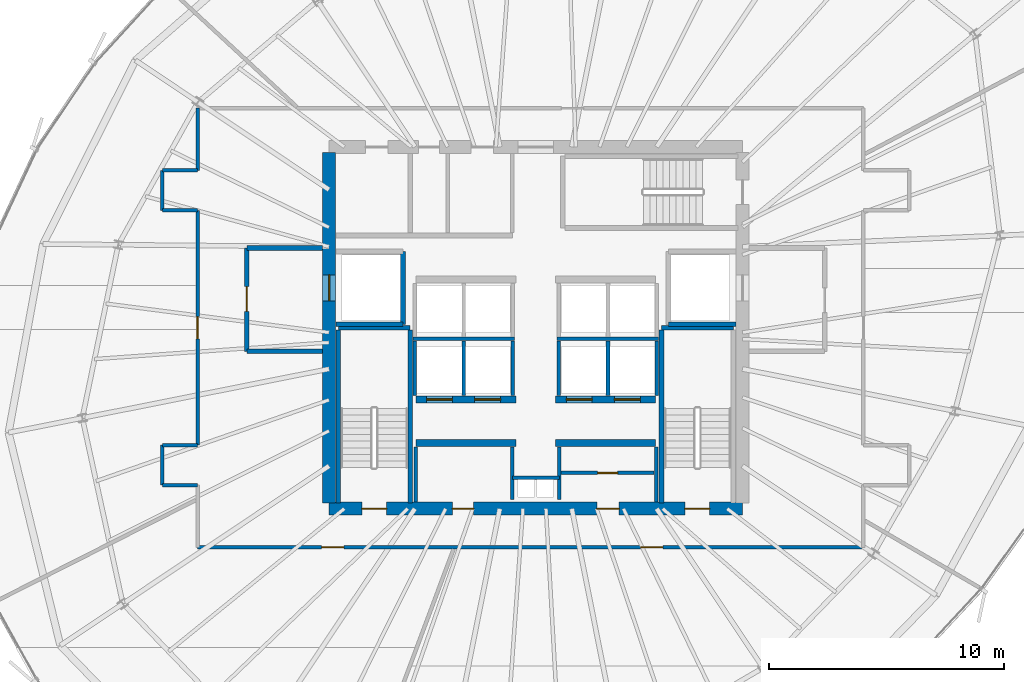
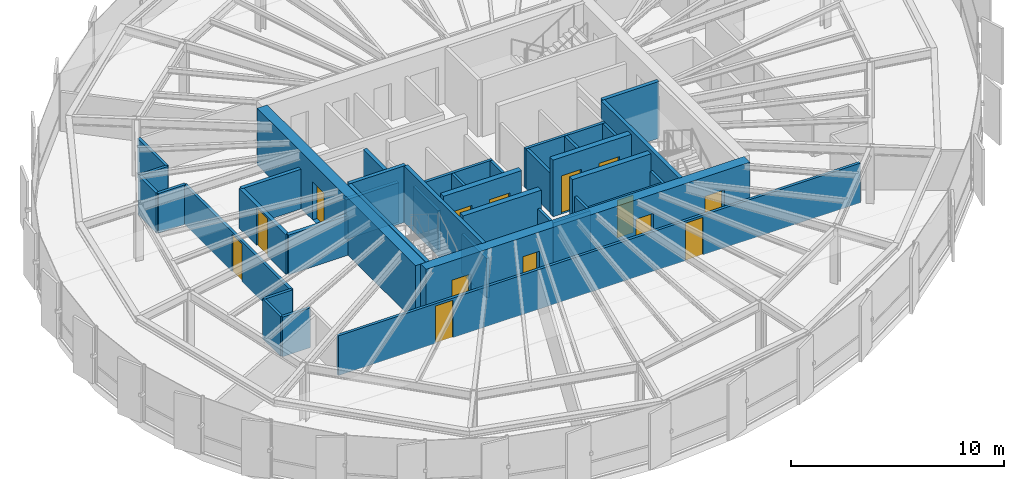
# One storey, part 30 of 36: 40 walls, 14 doors, 14 openings.
"""IFC4 building model written with IfcOpenShell, lengths in metres."""

import ifcopenshell
import ifcopenshell.guid

model = None  # the IFC model being written
_history = None  # IfcOwnerHistory: only IFC2X3 demands one
_inside = {}  # id of a spatial element -> (the spatial element, [elements in it])
_under = {}  # id of a project, library or spatial element -> (it, [spatial elements below it])
_declared = {}  # id of a project -> (the project, [libraries it declares])
_typed = {}  # id of a type object -> (the type object, [elements of that type])
_made_of = {}  # id of a material, layer set ... -> (it, [elements and type objects made of it])


def new_model(schema):
    """Start an empty IFC model of exactly this schema.

    Asked for "IFC4X3", IfcOpenShell would pick the latest addendum, in which some entities
    have other attributes; the version numbers below select the first issue.
    IFC2X3 requires an IfcOwnerHistory on every rooted entity: one is made here for all.
    """
    global model, _history
    if schema == "IFC4X3":
        model = ifcopenshell.file(schema_version=(4, 3, 0, 0))
    else:
        model = ifcopenshell.file(schema=schema)
    _inside.clear()
    _under.clear()
    _declared.clear()
    _typed.clear()
    _made_of.clear()
    _history = None
    if model.schema == "IFC2X3":
        org = make("IfcOrganization", Name="unknown")
        user = make(
            "IfcPersonAndOrganization",
            ThePerson=make("IfcPerson", FamilyName="unknown"),
            TheOrganization=org,
        )
        app = make(
            "IfcApplication",
            ApplicationDeveloper=org,
            Version="unknown",
            ApplicationFullName="unknown",
            ApplicationIdentifier="unknown",
        )
        _history = make(
            "IfcOwnerHistory",
            OwningUser=user,
            OwningApplication=app,
            ChangeAction="ADDED",
            CreationDate=0,
        )
    return model


def make(cls, **values):
    """One entity of the class cls with the attributes given. An attribute that is None is left unset."""
    return model.create_entity(
        cls, **{name: value for name, value in values.items() if value is not None}
    )


def rooted(cls, **values):
    """An entity with a GlobalId (a new one), such as an element, a storey or a relation."""
    return make(cls, GlobalId=ifcopenshell.guid.new(), OwnerHistory=_history, **values)


def si_unit(unit_type, name, prefix=None):
    """IfcSIUnit, for example si_unit("LENGTHUNIT", "METRE", prefix="MILLI")."""
    return make("IfcSIUnit", UnitType=unit_type, Prefix=prefix, Name=name)


def assignment(units):
    """IfcUnitAssignment: the units of a project."""
    return None if units is None else make("IfcUnitAssignment", Units=units)


def point(xyz):
    """IfcCartesianPoint."""
    return None if xyz is None else make("IfcCartesianPoint", Coordinates=xyz)


def direction(xyz):
    """IfcDirection."""
    return None if xyz is None else make("IfcDirection", DirectionRatios=xyz)


def frame(location, z_axis=None, x_axis=None):
    """IfcAxis2Placement3D, a coordinate frame: its origin and axes. An axis left out is left unset."""
    return make(
        "IfcAxis2Placement3D",
        Location=point(location),
        Axis=direction(z_axis),
        RefDirection=direction(x_axis),
    )


def frame_2d(location, x_axis=None):
    """IfcAxis2Placement2D, a coordinate frame in the plane: its origin and x axis."""
    return make(
        "IfcAxis2Placement2D", Location=point(location), RefDirection=direction(x_axis)
    )


def origin():
    """The frame at (0, 0, 0) with its axes left unset."""
    return frame((0.0, 0.0, 0.0))


def place(relative_to, where):
    """IfcLocalPlacement: puts the frame where relative to a parent placement (None: the world)."""
    return make(
        "IfcLocalPlacement", PlacementRelTo=relative_to, RelativePlacement=where
    )


def context(
    kind, dimensions, precision=None, world=None, true_north=None, identifier=None
):
    """IfcGeometricRepresentationContext, for example the 3D "Model" context."""
    return make(
        "IfcGeometricRepresentationContext",
        ContextIdentifier=identifier,
        ContextType=kind,
        CoordinateSpaceDimension=dimensions,
        Precision=precision,
        WorldCoordinateSystem=world,
        TrueNorth=true_north,
    )


def subcontext(parent, identifier, kind, view, scale=None):
    """IfcGeometricRepresentationSubContext, for example "Body" below "Model"."""
    return make(
        "IfcGeometricRepresentationSubContext",
        ContextIdentifier=identifier,
        ContextType=kind,
        ParentContext=parent,
        TargetScale=scale,
        TargetView=view,
    )


def project(units=None, contexts=None):
    """IfcProject with its units and contexts."""
    return rooted(
        "IfcProject",
        Name="project",
        RepresentationContexts=contexts,
        UnitsInContext=assignment(units),
    )


def spatial(cls, under=None, at=None, **own):
    """A site, building, storey or space (cls), placed at a placement, below another one or the project."""
    s = rooted(cls, ObjectPlacement=at, **own)
    if under is not None:
        _under.setdefault(under.id(), (under, []))[1].append(s)
    return s


def profile(cls, at=None, kind="AREA", **sizes):
    """A parametric profile (cls). Its sizes go by their IFC names, for example OverallWidth=200.0."""
    return make(cls, ProfileType=kind, Position=at, **sizes)


def rectangle(**sizes):
    """IfcRectangleProfileDef."""
    return profile("IfcRectangleProfileDef", **sizes)


def extrude(swept, where, along, depth):
    """IfcExtrudedAreaSolid: the profile swept, set in the frame where, extruded along a direction by depth."""
    return make(
        "IfcExtrudedAreaSolid",
        SweptArea=swept,
        Position=where,
        ExtrudedDirection=direction(along),
        Depth=depth,
    )


def shape(context_of_items, identifier, shape_type, items):
    """IfcShapeRepresentation: the items that make up one representation, for example the "Body"."""
    return make(
        "IfcShapeRepresentation",
        ContextOfItems=context_of_items,
        RepresentationIdentifier=identifier,
        RepresentationType=shape_type,
        Items=items,
    )


def source(mapping_origin, context_of_items, identifier, shape_type, items):
    """IfcRepresentationMap: a shape defined once, which mapped items show again and again."""
    return make(
        "IfcRepresentationMap",
        MappingOrigin=mapping_origin,
        MappedRepresentation=shape(context_of_items, identifier, shape_type, items),
    )


def transform(
    local_origin,
    x_axis=None,
    y_axis=None,
    z_axis=None,
    scale=None,
    scale2=None,
    scale3=None,
    uniform=True,
):
    """IfcCartesianTransformationOperator3D, or its non-uniform kind. x_axis, y_axis, z_axis: its Axis1, 2, 3."""
    if uniform:
        return make(
            "IfcCartesianTransformationOperator3D",
            Axis1=direction(x_axis),
            Axis2=direction(y_axis),
            LocalOrigin=point(local_origin),
            Scale=scale,
            Axis3=direction(z_axis),
        )
    return make(
        "IfcCartesianTransformationOperator3DnonUniform",
        Axis1=direction(x_axis),
        Axis2=direction(y_axis),
        LocalOrigin=point(local_origin),
        Scale=scale,
        Axis3=direction(z_axis),
        Scale2=scale2,
        Scale3=scale3,
    )


def mapped(mapping_source, mapping_target):
    """IfcMappedItem: shows the shape of a source again, moved by a transform."""
    return make(
        "IfcMappedItem", MappingSource=mapping_source, MappingTarget=mapping_target
    )


def material(Name=None, Category=None):
    """IfcMaterial."""
    return make("IfcMaterial", Name=Name, Category=Category)


def layer(
    of_material, thickness, ventilated=None, Name=None, Category=None, Priority=None
):
    """IfcMaterialLayer: one layer of a wall or slab, of a material (None: an air gap)."""
    return make(
        "IfcMaterialLayer",
        Material=of_material,
        LayerThickness=thickness,
        IsVentilated=ventilated,
        Name=Name,
        Category=Category,
        Priority=Priority,
    )


def layer_set(layers, Name=None):
    """IfcMaterialLayerSet."""
    return make("IfcMaterialLayerSet", MaterialLayers=layers, LayerSetName=Name)


def made_of(thing, what):
    """Note that an element or type object is made of a material, layer set ...; save() writes the relation."""
    if what is not None:
        _made_of.setdefault(what.id(), (what, []))[1].append(thing)
    return thing


def type_object(cls, material=None, **own):
    """A type object (cls), such as IfcWallType, which elements share."""
    return made_of(rooted(cls, **own), material)


def element(
    cls,
    number,
    at=None,
    inside=None,
    cuts=None,
    type_object=None,
    material=None,
    context=None,
    identifier="Body",
    shape_type=None,
    held_by="IfcProductDefinitionShape",
    body=None,
    shapes=None,
    **own,
):
    """One element of the class cls, such as IfcWall. Its Tag is "e" and its number.

    at: its placement. inside: the storey or other place that contains it. cuts: it is an
    opening in that element (IfcRelVoidsElement). A single representation is given by context,
    identifier, shape_type and body (its items); several are given by shapes. held_by: the class
    of the entity that holds the representations. save() writes the other relations.
    """
    e = rooted(cls, Tag="e%d" % number, ObjectPlacement=at, **own)
    if body is not None:
        shapes = [shape(context, identifier, shape_type, body)]
    if shapes is not None:
        e.Representation = make(held_by, Representations=shapes)
    if inside is not None:
        _inside.setdefault(inside.id(), (inside, []))[1].append(e)
    if cuts is not None:
        rooted(
            "IfcRelVoidsElement", RelatingBuildingElement=cuts, RelatedOpeningElement=e
        )
    if type_object is not None:
        _typed.setdefault(type_object.id(), (type_object, []))[1].append(e)
    return made_of(e, material)


def fill(opening, filler):
    """IfcRelFillsElement: the door or window that sits in an opening."""
    return rooted(
        "IfcRelFillsElement",
        RelatingOpeningElement=opening,
        RelatedBuildingElement=filler,
    )


def aggregate(whole, parts):
    """IfcRelAggregates: a whole, such as a stair, and the parts it consists of."""
    return rooted("IfcRelAggregates", RelatingObject=whole, RelatedObjects=parts)


def save(model, path):
    """Write the relations noted so far, then the file.

    IfcRelAggregates (storeys below a building ...), IfcRelContainedInSpatialStructure (elements
    in a storey), IfcRelDefinesByType, IfcRelAssociatesMaterial and IfcRelDeclares: one each for
    every whole, place, type object, material and project.
    """
    for whole, parts in _under.values():
        aggregate(whole, parts)
    for where, things in _inside.values():
        rooted(
            "IfcRelContainedInSpatialStructure",
            RelatedElements=things,
            RelatingStructure=where,
        )
    for kind, things in _typed.values():
        rooted("IfcRelDefinesByType", RelatedObjects=things, RelatingType=kind)
    for what, things in _made_of.values():
        rooted("IfcRelAssociatesMaterial", RelatedObjects=things, RelatingMaterial=what)
    for by, libraries in _declared.values():
        rooted("IfcRelDeclares", RelatingContext=by, RelatedDefinitions=libraries)
    model.write(path)


model = new_model("IFC4")

# Units and contexts
model_context = context("Model", 3, precision=1e-05, world=origin(), true_north=direction((0.0, 1.0)))
body_context = subcontext(model_context, "Body", "Model", "MODEL_VIEW")
ifc_project = project(units=[si_unit("LENGTHUNIT", "METRE"), si_unit("AREAUNIT", "SQUARE_METRE"), si_unit("VOLUMEUNIT", "CUBIC_METRE"), si_unit("PLANEANGLEUNIT", "RADIAN"), si_unit("MASSUNIT", "GRAM", prefix="KILO"), si_unit("THERMODYNAMICTEMPERATUREUNIT", "KELVIN")], contexts=[model_context])

# Site, building, storey
site_placement = place(None, origin())
site = spatial("IfcSite", under=ifc_project, at=site_placement, CompositionType="ELEMENT")
building_placement = place(site_placement, origin())
building = spatial("IfcBuilding", under=site, at=building_placement, Name="Kethvar Cultural Tower", CompositionType="ELEMENT")
storey_placement = place(building_placement, frame((0.0, 0.0, 176.39990234375)))
storey = spatial("IfcBuildingStorey", under=building, at=storey_placement, Name="L45", CompositionType="ELEMENT", Elevation=176.39990234375)

# Wall, openings, doors
ifc_material_1 = material(Name="Concrete C60/75", Category="concrete")
ifc_layer_1 = layer(ifc_material_1, 0.550048828125, Name="Concrete C60/75", Category="concrete")
ifc_layer_set_1 = layer_set([ifc_layer_1], Name="Concrete C60/75 (550 mm)")
wall_type_1 = type_object("IfcWallType", Name="WL-CORE-550", PredefinedType="SHEAR", material=ifc_layer_set_1)
wall_1_placement = place(storey_placement, frame((38.0, 20.10009765625, 0.0), z_axis=(0.0, 0.0, 1.0), x_axis=(1.0, 0.0, 0.0)))
wall_1 = element("IfcWall", 1, at=wall_1_placement, inside=storey, type_object=wall_type_1, Name="L45 Core Shear Wall S", PredefinedType="SHEAR", context=body_context, shape_type="SweptSolid", body=[
    extrude(rectangle(XDim=17.60009765625, YDim=0.550048828125, at=frame_2d((8.800048828125, 0.0))), origin(), (0.0, 0.0, 1.0), 3.260009765625),
])
opening_1_placement = place(wall_1_placement, frame((1.39990234375, 0.0, 0.0)))
opening_1 = element("IfcOpeningElement", 2, at=opening_1_placement, cuts=wall_1, Name="Opening D-L45-S1", PredefinedType="OPENING", context=body_context, shape_type="SweptSolid", body=[
    extrude(rectangle(XDim=1.050048828125, YDim=2.14990234375, at=frame_2d((0.52490234375, 1.074951171875))), frame((0.0, 0.284912109375, 0.0), z_axis=(0.0, -1.0, 0.0), x_axis=(1.0, 0.0, 0.0)), (0.0, 0.0, 1.0), 0.570068359375),
])
opening_2_placement = place(wall_1_placement, frame((15.14990234375, 0.0, 0.0)))
opening_2 = element("IfcOpeningElement", 3, at=opening_2_placement, cuts=wall_1, Name="Opening D-L45-ST2", PredefinedType="OPENING", context=body_context, shape_type="SweptSolid", body=[
    extrude(rectangle(XDim=1.050048828125, YDim=2.14990234375, at=frame_2d((0.52490234375, 1.074951171875))), frame((0.0, 0.284912109375, 0.0), z_axis=(0.0, -1.0, 0.0), x_axis=(1.0, 0.0, 0.0)), (0.0, 0.0, 1.0), 0.570068359375),
])
opening_3_placement = place(wall_1_placement, frame((5.25, 0.0, 0.0)))
opening_3 = element("IfcOpeningElement", 4, at=opening_3_placement, cuts=wall_1, Name="Opening D-L45-V1", PredefinedType="OPENING", context=body_context, shape_type="SweptSolid", body=[
    extrude(rectangle(XDim=0.89990234375, YDim=2.14990234375, at=frame_2d((0.449951171875, 1.074951171875))), frame((0.0, 0.284912109375, 0.0), z_axis=(0.0, -1.0, 0.0), x_axis=(1.0, 0.0, 0.0)), (0.0, 0.0, 1.0), 0.570068359375),
])
opening_4_placement = place(wall_1_placement, frame((11.39990234375, 0.0, 0.0)))
opening_4 = element("IfcOpeningElement", 5, at=opening_4_placement, cuts=wall_1, Name="Opening D-L45-V2", PredefinedType="OPENING", context=body_context, shape_type="SweptSolid", body=[
    extrude(rectangle(XDim=0.949951171875, YDim=2.14990234375, at=frame_2d((0.47509765625, 1.074951171875))), frame((0.0, 0.284912109375, 0.0), z_axis=(0.0, -1.0, 0.0), x_axis=(1.0, 0.0, 0.0)), (0.0, 0.0, 1.0), 0.570068359375),
])
ifc_material_2 = material(Name="Steel S355J2", Category="steel")
door_type_1 = type_object("IfcDoorType", Name="DR-FD60-1050", OperationType="NOTDEFINED", PredefinedType="DOOR", material=ifc_material_2)
shared_shape_1 = source(origin(), body_context, "Body", "SweptSolid", [
    extrude(rectangle(XDim=1.050048828125, YDim=2.14990234375, at=frame_2d((0.52490234375, 1.074951171875))), frame((0.0, 0.02490234375, 0.0), z_axis=(0.0, -1.0, 0.0), x_axis=(1.0, 0.0, 0.0)), (0.0, 0.0, 1.0), 0.050048828125),
])
door_1_placement = place(opening_1_placement, origin())
door_1 = element("IfcDoor", 6, at=door_1_placement, inside=storey, type_object=door_type_1, Name="L45 Exit Stair 1 Door", OperationType="SINGLE_SWING_LEFT", OverallHeight=2.14990234375, OverallWidth=1.050048828125, PredefinedType="DOOR", context=body_context, shape_type="MappedRepresentation", body=[
    mapped(shared_shape_1, transform((0.0, 0.0, 0.0), scale=1.0)),
])
fill(opening_1, door_1)
door_2_placement = place(opening_2_placement, origin())
door_2 = element("IfcDoor", 7, at=door_2_placement, inside=storey, type_object=door_type_1, Name="L45 Exit Stair 2 Door", OperationType="SINGLE_SWING_RIGHT", OverallHeight=2.14990234375, OverallWidth=1.050048828125, PredefinedType="DOOR", context=body_context, shape_type="MappedRepresentation", body=[
    mapped(shared_shape_1, transform((0.0, 0.0, 0.0), scale=1.0)),
])
fill(opening_2, door_2)
ifc_material_3 = material(Name="Architectural Oak Timber", Category="wood")
door_type_2 = type_object("IfcDoorType", Name="DR-FD30-950", OperationType="NOTDEFINED", PredefinedType="DOOR", material=ifc_material_3)
shared_shape_2 = source(origin(), body_context, "Body", "SweptSolid", [
    extrude(rectangle(XDim=0.949951171875, YDim=2.14990234375, at=frame_2d((0.47509765625, 1.074951171875))), frame((0.0, 0.02490234375, 0.0), z_axis=(0.0, -1.0, 0.0), x_axis=(1.0, 0.0, 0.0)), (0.0, 0.0, 1.0), 0.050048828125),
])
door_3_placement = place(opening_4_placement, origin())
door_3 = element("IfcDoor", 8, at=door_3_placement, inside=storey, type_object=door_type_2, Name="L45 Bindery Supply Door", OperationType="SINGLE_SWING_RIGHT", OverallHeight=2.14990234375, OverallWidth=0.949951171875, PredefinedType="DOOR", context=body_context, shape_type="MappedRepresentation", body=[
    mapped(shared_shape_2, transform((0.0, 0.0, 0.0), scale=1.0)),
])
fill(opening_4, door_3)
door_type_3 = type_object("IfcDoorType", Name="DR-FD30-900", OperationType="NOTDEFINED", PredefinedType="DOOR", material=ifc_material_3)
shared_shape_3 = source(origin(), body_context, "Body", "SweptSolid", [
    extrude(rectangle(XDim=0.89990234375, YDim=2.14990234375, at=frame_2d((0.449951171875, 1.074951171875))), frame((0.0, 0.02490234375, 0.0), z_axis=(0.0, -1.0, 0.0), x_axis=(1.0, 0.0, 0.0)), (0.0, 0.0, 1.0), 0.050048828125),
])
door_4_placement = place(opening_3_placement, origin())
door_4 = element("IfcDoor", 9, at=door_4_placement, inside=storey, type_object=door_type_3, Name="L45 Folio Vault Door", OperationType="SINGLE_SWING_LEFT", OverallHeight=2.14990234375, OverallWidth=0.89990234375, PredefinedType="DOOR", context=body_context, shape_type="MappedRepresentation", body=[
    mapped(shared_shape_3, transform((0.0, 0.0, 0.0), scale=1.0)),
])
fill(opening_3, door_4)

# Wall, opening, door
wall_2_placement = place(storey_placement, frame((38.0, 35.260009765625, 0.0), z_axis=(0.0, 0.0, 1.0), x_axis=(0.0, -1.0, 0.0)))
wall_2 = element("IfcWall", 10, at=wall_2_placement, inside=storey, type_object=wall_type_1, Name="L45 Core Shear Wall W", PredefinedType="SHEAR", context=body_context, shape_type="SweptSolid", body=[
    extrude(rectangle(XDim=14.919921875, YDim=0.550048828125, at=frame_2d((7.4599609375, 0.0))), origin(), (0.0, 0.0, 1.0), 3.260009765625),
])
opening_5_placement = place(wall_2_placement, frame((5.2099609375, 0.0, 0.0)))
opening_5 = element("IfcOpeningElement", 11, at=opening_5_placement, cuts=wall_2, Name="Opening LD-1", PredefinedType="OPENING", context=body_context, shape_type="SweptSolid", body=[
    extrude(rectangle(XDim=1.10009765625, YDim=2.199951171875, at=frame_2d((0.550048828125, 1.10009765625))), frame((0.0, 0.284912109375, 0.0), z_axis=(0.0, -1.0, 0.0), x_axis=(1.0, 0.0, 0.0)), (0.0, 0.0, 1.0), 0.570068359375),
])
door_type_4 = type_object("IfcDoorType", Name="DR-LIFT-SLIDE-1100", OperationType="NOTDEFINED", PredefinedType="DOOR", material=ifc_material_2)
shared_shape_4 = source(origin(), body_context, "Body", "SweptSolid", [
    extrude(rectangle(XDim=1.10009765625, YDim=2.199951171875, at=frame_2d((0.550048828125, 1.10009765625))), frame((0.0, 0.02490234375, 0.0), z_axis=(0.0, -1.0, 0.0), x_axis=(1.0, 0.0, 0.0)), (0.0, 0.0, 1.0), 0.050048828125),
])
door_5_placement = place(opening_5_placement, origin())
door_5 = element("IfcDoor", 12, at=door_5_placement, inside=storey, type_object=door_type_4, Name="L45 Firefighting Lift Landing Door FFL-01", OperationType="SLIDING_TO_LEFT", OverallHeight=2.199951171875, OverallWidth=1.10009765625, PredefinedType="DOOR", context=body_context, shape_type="MappedRepresentation", body=[
    mapped(shared_shape_4, transform((0.0, 0.0, 0.0), scale=1.0)),
])
fill(opening_5, door_5)

# Walls
ifc_material_4 = material(Name="Gypsum Fireboard Partition")
ifc_layer_2 = layer(ifc_material_4, 0.14990234375, Name="Gypsum Fireboard Partition")
ifc_layer_set_2 = layer_set([ifc_layer_2], Name="Gypsum Fireboard Partition (150 mm)")
wall_type_2 = type_object("IfcWallType", Name="WL-FIRE-150", PredefinedType="PARTITIONING", material=ifc_layer_set_2)
wall_3_placement = place(storey_placement, frame((45.800048828125, 21.419921875, 0.0), z_axis=(0.0, 0.0, 1.0), x_axis=(1.0, 0.0, 0.0)))
element("IfcWall", 13, at=wall_3_placement, inside=storey, type_object=wall_type_2, Name="L45 Core Riser Wall", PredefinedType="PARTITIONING", context=body_context, shape_type="SweptSolid", body=[
    extrude(rectangle(XDim=2.0, YDim=0.14990234375, at=frame_2d((1.0, 0.0))), origin(), (0.0, 0.0, 1.0), 2.280029296875),
])
for number, where, z_axis, x_axis, name in (
    (14, (45.800048828125, 20.47998046875, 0.0), (0.0, 0.0, 1.0), (0.0, 1.0, 0.0), "L45 Core Riser West Wall"),
    (15, (47.800048828125, 20.47998046875, 0.0), (0.0, 0.0, 1.0), (0.0, 1.0, 0.0), "L45 Core Riser East Wall"),
):
    element("IfcWall", number, at=place(storey_placement, frame(where, z_axis=z_axis, x_axis=x_axis)), inside=storey, type_object=wall_type_2, Name=name, PredefinedType="PARTITIONING", context=body_context, shape_type="SweptSolid", body=[
        extrude(rectangle(XDim=2.239990234375, YDim=0.14990234375, at=frame_2d((1.1201171875, 0.0))), origin(), (0.0, 0.0, 1.0), 2.280029296875),
    ])
for number, where, z_axis, x_axis, name in (
    (16, (41.679931640625, 20.385009765625, 0.0), (0.0, 0.0, 1.0), (0.0, 1.0, 0.0), "L45 Reclaimed West Outer Wall"),
    (17, (51.919921875, 20.385009765625, 0.0), (0.0, 0.0, 1.0), (0.0, 1.0, 0.0), "L45 Reclaimed East Outer Wall"),
):
    element("IfcWall", number, at=place(storey_placement, frame(where, z_axis=z_axis, x_axis=x_axis)), inside=storey, type_object=wall_type_2, Name=name, PredefinedType="PARTITIONING", context=body_context, shape_type="SweptSolid", body=[
        extrude(rectangle(XDim=2.344970703125, YDim=0.14990234375, at=frame_2d((1.17236328125, 0.0))), origin(), (0.0, 0.0, 1.0), 2.280029296875),
    ])

# Wall, opening, door
wall_4_placement = place(storey_placement, frame((47.8798828125, 21.6201171875, 0.0), z_axis=(0.0, 0.0, 1.0), x_axis=(1.0, 0.0, 0.0)))
wall_4 = element("IfcWall", 18, at=wall_4_placement, inside=storey, type_object=wall_type_2, Name="L45 Pantry Gallery Wall E", PredefinedType="PARTITIONING", context=body_context, shape_type="SweptSolid", body=[
    extrude(rectangle(XDim=3.960205078125, YDim=0.14990234375, at=frame_2d((1.97998046875, 0.0))), origin(), (0.0, 0.0, 1.0), 2.280029296875),
])
opening_6_placement = place(wall_4_placement, frame((1.550048828125, 0.0, 0.0)))
opening_6 = element("IfcOpeningElement", 19, at=opening_6_placement, cuts=wall_4, Name="Opening D-L45-V3", PredefinedType="OPENING", context=body_context, shape_type="SweptSolid", body=[
    extrude(rectangle(XDim=0.85009765625, YDim=2.14990234375, at=frame_2d((0.425048828125, 1.074951171875))), frame((0.0, 0.0849609375, 0.0), z_axis=(0.0, -1.0, 0.0), x_axis=(1.0, 0.0, 0.0)), (0.0, 0.0, 1.0), 0.169921875),
])
door_type_5 = type_object("IfcDoorType", Name="DR-FD30-850", OperationType="NOTDEFINED", PredefinedType="DOOR", material=ifc_material_2)
shared_shape_5 = source(origin(), body_context, "Body", "SweptSolid", [
    extrude(rectangle(XDim=0.85009765625, YDim=2.14990234375, at=frame_2d((0.425048828125, 1.074951171875))), frame((0.0, 0.02490234375, 0.0), z_axis=(0.0, -1.0, 0.0), x_axis=(1.0, 0.0, 0.0)), (0.0, 0.0, 1.0), 0.050048828125),
])
door_6_placement = place(opening_6_placement, origin())
door_6 = element("IfcDoor", 20, at=door_6_placement, inside=storey, type_object=door_type_5, Name="L45 Inner Pantry Gallery Door", OperationType="SINGLE_SWING_RIGHT", OverallHeight=2.14990234375, OverallWidth=0.85009765625, PredefinedType="DOOR", context=body_context, shape_type="MappedRepresentation", body=[
    mapped(shared_shape_5, transform((0.0, 0.0, 0.0), scale=1.0)),
])
fill(opening_6, door_6)

# Walls
wall_5_placement = place(storey_placement, frame((41.580078125, 27.324951171875, 0.0), z_axis=(0.0, 0.0, 1.0), x_axis=(1.0, 0.0, 0.0)))
element("IfcWall", 21, at=wall_5_placement, inside=storey, type_object=wall_type_2, Name="L45 Mid-High Lift Shaft Back Wall W", PredefinedType="PARTITIONING", context=body_context, shape_type="SweptSolid", body=[
    extrude(rectangle(XDim=4.31982421875, YDim=0.14990234375, at=frame_2d((2.159912109375, 0.0))), origin(), (0.0, 0.0, 1.0), 2.280029296875),
])
wall_6_placement = place(storey_placement, frame((47.699951171875, 27.324951171875, 0.0), z_axis=(0.0, 0.0, 1.0), x_axis=(1.0, 0.0, 0.0)))
element("IfcWall", 22, at=wall_6_placement, inside=storey, type_object=wall_type_2, Name="L45 Mid-High Lift Shaft Back Wall E", PredefinedType="PARTITIONING", context=body_context, shape_type="SweptSolid", body=[
    extrude(rectangle(XDim=4.320068359375, YDim=0.14990234375, at=frame_2d((2.16015625, 0.0))), origin(), (0.0, 0.0, 1.0), 2.280029296875),
])
for number, where, z_axis, x_axis, name in (
    (23, (41.64990234375, 24.919921875, 0.0), (0.0, 0.0, 1.0), (0.0, 1.0, 0.0), "L45 Mid-Rise Lift Shaft Outer Wall W"),
    (24, (43.72509765625, 24.919921875, 0.0), (0.0, 0.0, 1.0), (0.0, 1.0, 0.0), "L45 Mid-Rise Lift Shaft Divider W"),
    (25, (45.824951171875, 24.919921875, 0.0), (0.0, 0.0, 1.0), (0.0, 1.0, 0.0), "L45 Mid-Rise Lift Shaft Concourse Wall W"),
    (26, (47.77490234375, 24.919921875, 0.0), (0.0, 0.0, 1.0), (0.0, 1.0, 0.0), "L45 Mid-Rise Lift Shaft Concourse Wall E"),
    (27, (49.875, 24.919921875, 0.0), (0.0, 0.0, 1.0), (0.0, 1.0, 0.0), "L45 Mid-Rise Lift Shaft Divider E"),
    (28, (51.949951171875, 24.919921875, 0.0), (0.0, 0.0, 1.0), (0.0, 1.0, 0.0), "L45 Mid-Rise Lift Shaft Outer Wall E"),
):
    element("IfcWall", number, at=place(storey_placement, frame(where, z_axis=z_axis, x_axis=x_axis)), inside=storey, type_object=wall_type_2, Name=name, PredefinedType="PARTITIONING", context=body_context, shape_type="SweptSolid", body=[
        extrude(rectangle(XDim=2.320068359375, YDim=0.14990234375, at=frame_2d((1.16015625, 0.0))), origin(), (0.0, 0.0, 1.0), 2.280029296875),
    ])

# Wall, openings, doors
wall_7_placement = place(storey_placement, frame((32.39990234375, 18.449951171875, 0.0), z_axis=(0.0, 0.0, 1.0), x_axis=(1.0, 0.0, 0.0)))
wall_7 = element("IfcWall", 29, at=wall_7_placement, inside=storey, type_object=wall_type_2, Name="L45 Corridor Rated Wall S", PredefinedType="PARTITIONING", context=body_context, shape_type="SweptSolid", body=[
    extrude(rectangle(XDim=28.35009765625, YDim=0.14990234375, at=frame_2d((14.175048828125, 0.0))), origin(), (0.0, 0.0, 1.0), 2.280029296875),
])
opening_7_placement = place(wall_7_placement, frame((5.2783203125, 0.0, 0.0)))
opening_7 = element("IfcOpeningElement", 30, at=opening_7_placement, cuts=wall_7, Name="Opening D-L45-01", PredefinedType="OPENING", context=body_context, shape_type="SweptSolid", body=[
    extrude(rectangle(XDim=0.949951171875, YDim=2.14990234375, at=frame_2d((0.47509765625, 1.074951171875))), frame((0.0, 0.0849609375, 0.0), z_axis=(0.0, -1.0, 0.0), x_axis=(1.0, 0.0, 0.0)), (0.0, 0.0, 1.0), 0.169921875),
])
opening_8_placement = place(wall_7_placement, frame((18.8642578125, 0.0, 0.0)))
opening_8 = element("IfcOpeningElement", 31, at=opening_8_placement, cuts=wall_7, Name="Opening D-L45-02", PredefinedType="OPENING", context=body_context, shape_type="SweptSolid", body=[
    extrude(rectangle(XDim=0.949951171875, YDim=2.14990234375, at=frame_2d((0.47509765625, 1.074951171875))), frame((0.0, 0.0849609375, 0.0), z_axis=(0.0, -1.0, 0.0), x_axis=(1.0, 0.0, 0.0)), (0.0, 0.0, 1.0), 0.169921875),
])
door_7_placement = place(opening_7_placement, origin())
door_7 = element("IfcDoor", 32, at=door_7_placement, inside=storey, type_object=door_type_2, Name="L45 Sculpture Media Salon 01 Door", OperationType="SINGLE_SWING_RIGHT", OverallHeight=2.14990234375, OverallWidth=0.949951171875, PredefinedType="DOOR", context=body_context, shape_type="MappedRepresentation", body=[
    mapped(shared_shape_2, transform((0.0, 0.0, 0.0), scale=1.0)),
])
fill(opening_7, door_7)
door_8_placement = place(opening_8_placement, origin())
door_8 = element("IfcDoor", 33, at=door_8_placement, inside=storey, type_object=door_type_2, Name="L45 Design Review Boardroom 02 Door", OperationType="SINGLE_SWING_LEFT", OverallHeight=2.14990234375, OverallWidth=0.949951171875, PredefinedType="DOOR", context=body_context, shape_type="MappedRepresentation", body=[
    mapped(shared_shape_2, transform((0.0, 0.0, 0.0), scale=1.0)),
])
fill(opening_8, door_8)

# Walls
wall_8_placement = place(storey_placement, frame((32.39990234375, 37.14990234375, 0.0), z_axis=(0.0, 0.0, 1.0), x_axis=(0.0, -1.0, 0.0)))
element("IfcWall", 34, at=wall_8_placement, inside=storey, type_object=wall_type_2, Name="L45 Corridor Rated Wall W2", PredefinedType="PARTITIONING", context=body_context, shape_type="SweptSolid", body=[
    extrude(rectangle(XDim=2.64990234375, YDim=0.14990234375, at=frame_2d((1.324951171875, 0.0))), origin(), (0.0, 0.0, 1.0), 2.280029296875),
])
wall_9_placement = place(storey_placement, frame((32.39990234375, 34.5, 0.0), z_axis=(0.0, 0.0, 1.0), x_axis=(-1.0, 0.0, 0.0)))
element("IfcWall", 35, at=wall_9_placement, inside=storey, type_object=wall_type_2, Name="L45 Corridor Rated Wall WNT", PredefinedType="PARTITIONING", context=body_context, shape_type="SweptSolid", body=[
    extrude(rectangle(XDim=1.5, YDim=0.14990234375, at=frame_2d((0.75, 0.0))), origin(), (0.0, 0.0, 1.0), 2.280029296875),
])
wall_10_placement = place(storey_placement, frame((30.89990234375, 34.5, 0.0), z_axis=(0.0, 0.0, 1.0), x_axis=(0.0, -1.0, 0.0)))
element("IfcWall", 36, at=wall_10_placement, inside=storey, type_object=wall_type_2, Name="L45 Corridor Rated Wall WN", PredefinedType="PARTITIONING", context=body_context, shape_type="SweptSolid", body=[
    extrude(rectangle(XDim=1.699951171875, YDim=0.14990234375, at=frame_2d((0.85009765625, 0.0))), origin(), (0.0, 0.0, 1.0), 2.280029296875),
])
wall_11_placement = place(storey_placement, frame((30.89990234375, 32.800048828125, 0.0), z_axis=(0.0, 0.0, 1.0), x_axis=(1.0, 0.0, 0.0)))
element("IfcWall", 37, at=wall_11_placement, inside=storey, type_object=wall_type_2, Name="L45 Corridor Rated Wall WNB", PredefinedType="PARTITIONING", context=body_context, shape_type="SweptSolid", body=[
    extrude(rectangle(XDim=1.5, YDim=0.14990234375, at=frame_2d((0.75, 0.0))), origin(), (0.0, 0.0, 1.0), 2.280029296875),
])

# Wall, opening, door
wall_12_placement = place(storey_placement, frame((32.39990234375, 32.800048828125, 0.0), z_axis=(0.0, 0.0, 1.0), x_axis=(0.0, -1.0, 0.0)))
wall_12 = element("IfcWall", 38, at=wall_12_placement, inside=storey, type_object=wall_type_2, Name="L45 Corridor Rated Wall WM", PredefinedType="PARTITIONING", context=body_context, shape_type="SweptSolid", body=[
    extrude(rectangle(XDim=10.0, YDim=0.14990234375, at=frame_2d((5.0, 0.0))), origin(), (0.0, 0.0, 1.0), 2.280029296875),
])
opening_9_placement = place(wall_12_placement, frame((4.52490234375, 0.0, 0.0)))
opening_9 = element("IfcOpeningElement", 39, at=opening_9_placement, cuts=wall_12, Name="Opening D-L45-05", PredefinedType="OPENING", context=body_context, shape_type="SweptSolid", body=[
    extrude(rectangle(XDim=0.949951171875, YDim=2.14990234375, at=frame_2d((0.47509765625, 1.074951171875))), frame((0.0, 0.0849609375, 0.0), z_axis=(0.0, -1.0, 0.0), x_axis=(1.0, 0.0, 0.0)), (0.0, 0.0, 1.0), 0.169921875),
])
door_9_placement = place(opening_9_placement, origin())
door_9 = element("IfcDoor", 40, at=door_9_placement, inside=storey, type_object=door_type_2, Name="L45 Special Collections Storage 05 Door", OperationType="SINGLE_SWING_RIGHT", OverallHeight=2.14990234375, OverallWidth=0.949951171875, PredefinedType="DOOR", context=body_context, shape_type="MappedRepresentation", body=[
    mapped(shared_shape_2, transform((0.0, 0.0, 0.0), scale=1.0)),
])
fill(opening_9, door_9)

# Walls
wall_13_placement = place(storey_placement, frame((32.39990234375, 22.800048828125, 0.0), z_axis=(0.0, 0.0, 1.0), x_axis=(-1.0, 0.0, 0.0)))
element("IfcWall", 41, at=wall_13_placement, inside=storey, type_object=wall_type_2, Name="L45 Corridor Rated Wall WST", PredefinedType="PARTITIONING", context=body_context, shape_type="SweptSolid", body=[
    extrude(rectangle(XDim=1.5, YDim=0.14990234375, at=frame_2d((0.75, 0.0))), origin(), (0.0, 0.0, 1.0), 2.280029296875),
])
wall_14_placement = place(storey_placement, frame((30.89990234375, 22.800048828125, 0.0), z_axis=(0.0, 0.0, 1.0), x_axis=(0.0, -1.0, 0.0)))
element("IfcWall", 42, at=wall_14_placement, inside=storey, type_object=wall_type_2, Name="L45 Corridor Rated Wall WS", PredefinedType="PARTITIONING", context=body_context, shape_type="SweptSolid", body=[
    extrude(rectangle(XDim=1.699951171875, YDim=0.14990234375, at=frame_2d((0.85009765625, 0.0))), origin(), (0.0, 0.0, 1.0), 2.280029296875),
])
wall_15_placement = place(storey_placement, frame((30.89990234375, 21.10009765625, 0.0), z_axis=(0.0, 0.0, 1.0), x_axis=(1.0, 0.0, 0.0)))
element("IfcWall", 43, at=wall_15_placement, inside=storey, type_object=wall_type_2, Name="L45 Corridor Rated Wall WSB", PredefinedType="PARTITIONING", context=body_context, shape_type="SweptSolid", body=[
    extrude(rectangle(XDim=1.5, YDim=0.14990234375, at=frame_2d((0.75, 0.0))), origin(), (0.0, 0.0, 1.0), 2.280029296875),
])
ifc_material_5 = material(Name="Concrete C40/50", Category="concrete")
ifc_layer_3 = layer(ifc_material_5, 0.199951171875, Name="Concrete C40/50", Category="concrete")
ifc_layer_set_3 = layer_set([ifc_layer_3], Name="Concrete C40/50 (200 mm)")
wall_type_3 = type_object("IfcWallType", Name="WL-FIRE-200", PredefinedType="PARTITIONING", material=ifc_layer_set_3)
wall_16_placement = place(storey_placement, frame((41.14990234375, 27.949951171875, 0.0), z_axis=(0.0, 0.0, 1.0), x_axis=(0.0, 1.0, 0.0)))
element("IfcWall", 44, at=wall_16_placement, inside=storey, type_object=wall_type_3, Name="L45 FFL-01 Shaft Inner Wall", PredefinedType="PARTITIONING", context=body_context, shape_type="SweptSolid", body=[
    extrude(rectangle(XDim=3.10009765625, YDim=0.199951171875, at=frame_2d((1.550048828125, 0.0))), origin(), (0.0, 0.0, 1.0), 2.280029296875),
])
wall_17_placement = place(storey_placement, frame((38.284912109375, 27.949951171875, 0.0), z_axis=(0.0, 0.0, 1.0), x_axis=(1.0, 0.0, 0.0)))
element("IfcWall", 45, at=wall_17_placement, inside=storey, type_object=wall_type_3, Name="L45 FFL-01 Shaft South Wall", PredefinedType="PARTITIONING", context=body_context, shape_type="SweptSolid", body=[
    extrude(rectangle(XDim=2.864990234375, YDim=0.199951171875, at=frame_2d((1.4326171875, 0.0))), origin(), (0.0, 0.0, 1.0), 2.280029296875),
])

# Wall, opening, door
wall_18_placement = place(storey_placement, frame((34.5, 31.199951171875, 0.0), z_axis=(0.0, 0.0, 1.0), x_axis=(0.0, -1.0, 0.0)))
wall_18 = element("IfcWall", 46, at=wall_18_placement, inside=storey, type_object=wall_type_3, Name="L45 Firefighting Lobby 1 Wall", PredefinedType="PARTITIONING", context=body_context, shape_type="SweptSolid", body=[
    extrude(rectangle(XDim=4.39990234375, YDim=0.199951171875, at=frame_2d((2.199951171875, 0.0))), origin(), (0.0, 0.0, 1.0), 2.280029296875),
])
opening_10_placement = place(wall_18_placement, frame((1.64990234375, 0.0, 0.0)))
opening_10 = element("IfcOpeningElement", 47, at=opening_10_placement, cuts=wall_18, Name="Opening D-L45-F1", PredefinedType="OPENING", context=body_context, shape_type="SweptSolid", body=[
    extrude(rectangle(XDim=1.050048828125, YDim=2.14990234375, at=frame_2d((0.52490234375, 1.074951171875))), frame((0.0, 0.10986328125, 0.0), z_axis=(0.0, -1.0, 0.0), x_axis=(1.0, 0.0, 0.0)), (0.0, 0.0, 1.0), 0.219970703125),
])
door_10_placement = place(opening_10_placement, origin())
door_10 = element("IfcDoor", 48, at=door_10_placement, inside=storey, type_object=door_type_1, Name="L45 Firefighting Lobby 1 Fire Door", OperationType="SINGLE_SWING_LEFT", OverallHeight=2.14990234375, OverallWidth=1.050048828125, PredefinedType="DOOR", context=body_context, shape_type="MappedRepresentation", body=[
    mapped(shared_shape_1, transform((0.0, 0.0, 0.0), scale=1.0)),
])
fill(opening_10, door_10)

# Walls
for number, where, z_axis, x_axis, name in (
    (49, (34.5, 26.800048828125, 0.0), (0.0, 0.0, 1.0), (1.0, 0.0, 0.0), "L45 FF Lobby 1 South Wall"),
    (50, (34.5, 31.199951171875, 0.0), (0.0, 0.0, 1.0), (1.0, 0.0, 0.0), "L45 FF Lobby 1 North Wall"),
):
    element("IfcWall", number, at=place(storey_placement, frame(where, z_axis=z_axis, x_axis=x_axis)), inside=storey, type_object=wall_type_3, Name=name, PredefinedType="PARTITIONING", context=body_context, shape_type="SweptSolid", body=[
        extrude(rectangle(XDim=3.215087890625, YDim=0.199951171875, at=frame_2d((1.607421875, 0.0))), origin(), (0.0, 0.0, 1.0), 2.280029296875),
    ])
wall_19_placement = place(storey_placement, frame((52.449951171875, 27.949951171875, 0.0), z_axis=(0.0, 0.0, 1.0), x_axis=(1.0, 0.0, 0.0)))
element("IfcWall", 51, at=wall_19_placement, inside=storey, type_object=wall_type_3, Name="L45 FFL-02 Shaft South Wall", PredefinedType="PARTITIONING", context=body_context, shape_type="SweptSolid", body=[
    extrude(rectangle(XDim=2.864990234375, YDim=0.199951171875, at=frame_2d((1.4326171875, 0.0))), origin(), (0.0, 0.0, 1.0), 2.280029296875),
])
ifc_material_6 = material(Name="Concrete C50/60", Category="concrete")
ifc_layer_4 = layer(ifc_material_6, 0.300048828125, Name="Concrete C50/60", Category="concrete")
ifc_layer_set_4 = layer_set([ifc_layer_4], Name="Concrete C50/60 (300 mm)")
wall_type_4 = type_object("IfcWallType", Name="WL-SHAFT-300", PredefinedType="SHEAR", material=ifc_layer_set_4)
for number, where, z_axis, x_axis, name in (
    (52, (41.699951171875, 22.89990234375, 0.0), (0.0, 0.0, 1.0), (1.0, 0.0, 0.0), "L45 Core Lift Spine Wall MID1W"),
    (53, (47.64990234375, 22.89990234375, 0.0), (0.0, 0.0, 1.0), (1.0, 0.0, 0.0), "L45 Core Lift Spine Wall MID1E"),
):
    element("IfcWall", number, at=place(storey_placement, frame(where, z_axis=z_axis, x_axis=x_axis)), inside=storey, type_object=wall_type_4, Name=name, PredefinedType="SHEAR", context=body_context, shape_type="SweptSolid", body=[
        extrude(rectangle(XDim=4.25, YDim=0.300048828125, at=frame_2d((2.125, 0.0))), origin(), (0.0, 0.0, 1.0), 3.260009765625),
    ])

# Wall, openings, doors
wall_20_placement = place(storey_placement, frame((41.699951171875, 24.75, 0.0), z_axis=(0.0, 0.0, 1.0), x_axis=(1.0, 0.0, 0.0)))
wall_20 = element("IfcWall", 54, at=wall_20_placement, inside=storey, type_object=wall_type_4, Name="L45 Core Lift Spine Wall MID2W", PredefinedType="SHEAR", context=body_context, shape_type="SweptSolid", body=[
    extrude(rectangle(XDim=4.25, YDim=0.300048828125, at=frame_2d((2.125, 0.0))), origin(), (0.0, 0.0, 1.0), 3.260009765625),
])
opening_11_placement = place(wall_20_placement, frame((0.449951171875, 0.0, 0.0)))
opening_11 = element("IfcOpeningElement", 55, at=opening_11_placement, cuts=wall_20, Name="Opening LD-M1", PredefinedType="OPENING", context=body_context, shape_type="SweptSolid", body=[
    extrude(rectangle(XDim=1.10009765625, YDim=2.199951171875, at=frame_2d((0.550048828125, 1.10009765625))), frame((0.0, 0.159912109375, 0.0), z_axis=(0.0, -1.0, 0.0), x_axis=(1.0, 0.0, 0.0)), (0.0, 0.0, 1.0), 0.320068359375),
])
opening_12_placement = place(wall_20_placement, frame((2.5, 0.0, 0.0)))
opening_12 = element("IfcOpeningElement", 56, at=opening_12_placement, cuts=wall_20, Name="Opening LD-M2", PredefinedType="OPENING", context=body_context, shape_type="SweptSolid", body=[
    extrude(rectangle(XDim=1.10009765625, YDim=2.199951171875, at=frame_2d((0.550048828125, 1.10009765625))), frame((0.0, 0.159912109375, 0.0), z_axis=(0.0, -1.0, 0.0), x_axis=(1.0, 0.0, 0.0)), (0.0, 0.0, 1.0), 0.320068359375),
])
door_11_placement = place(opening_11_placement, origin())
door_11 = element("IfcDoor", 57, at=door_11_placement, inside=storey, type_object=door_type_4, Name="L45 Mid-Rise Lift Landing Door M1", OperationType="SLIDING_TO_RIGHT", OverallHeight=2.199951171875, OverallWidth=1.10009765625, PredefinedType="DOOR", context=body_context, shape_type="MappedRepresentation", body=[
    mapped(shared_shape_4, transform((0.0, 0.0, 0.0), scale=1.0)),
])
fill(opening_11, door_11)
door_12_placement = place(opening_12_placement, origin())
door_12 = element("IfcDoor", 58, at=door_12_placement, inside=storey, type_object=door_type_4, Name="L45 Mid-Rise Lift Landing Door M2", OperationType="SLIDING_TO_RIGHT", OverallHeight=2.199951171875, OverallWidth=1.10009765625, PredefinedType="DOOR", context=body_context, shape_type="MappedRepresentation", body=[
    mapped(shared_shape_4, transform((0.0, 0.0, 0.0), scale=1.0)),
])
fill(opening_12, door_12)

wall_21_placement = place(storey_placement, frame((47.64990234375, 24.75, 0.0), z_axis=(0.0, 0.0, 1.0), x_axis=(1.0, 0.0, 0.0)))
wall_21 = element("IfcWall", 59, at=wall_21_placement, inside=storey, type_object=wall_type_4, Name="L45 Core Lift Spine Wall MID2E", PredefinedType="SHEAR", context=body_context, shape_type="SweptSolid", body=[
    extrude(rectangle(XDim=4.25, YDim=0.300048828125, at=frame_2d((2.125, 0.0))), origin(), (0.0, 0.0, 1.0), 3.260009765625),
])
opening_13_placement = place(wall_21_placement, frame((0.449951171875, 0.0, 0.0)))
opening_13 = element("IfcOpeningElement", 60, at=opening_13_placement, cuts=wall_21, Name="Opening LD-M3", PredefinedType="OPENING", context=body_context, shape_type="SweptSolid", body=[
    extrude(rectangle(XDim=1.10009765625, YDim=2.199951171875, at=frame_2d((0.550048828125, 1.10009765625))), frame((0.0, 0.159912109375, 0.0), z_axis=(0.0, -1.0, 0.0), x_axis=(1.0, 0.0, 0.0)), (0.0, 0.0, 1.0), 0.320068359375),
])
opening_14_placement = place(wall_21_placement, frame((2.5, 0.0, 0.0)))
opening_14 = element("IfcOpeningElement", 61, at=opening_14_placement, cuts=wall_21, Name="Opening LD-M4", PredefinedType="OPENING", context=body_context, shape_type="SweptSolid", body=[
    extrude(rectangle(XDim=1.10009765625, YDim=2.199951171875, at=frame_2d((0.550048828125, 1.10009765625))), frame((0.0, 0.159912109375, 0.0), z_axis=(0.0, -1.0, 0.0), x_axis=(1.0, 0.0, 0.0)), (0.0, 0.0, 1.0), 0.320068359375),
])
door_13_placement = place(opening_13_placement, origin())
door_13 = element("IfcDoor", 62, at=door_13_placement, inside=storey, type_object=door_type_4, Name="L45 Mid-Rise Lift Landing Door M3", OperationType="SLIDING_TO_RIGHT", OverallHeight=2.199951171875, OverallWidth=1.10009765625, PredefinedType="DOOR", context=body_context, shape_type="MappedRepresentation", body=[
    mapped(shared_shape_4, transform((0.0, 0.0, 0.0), scale=1.0)),
])
fill(opening_13, door_13)
door_14_placement = place(opening_14_placement, origin())
door_14 = element("IfcDoor", 63, at=door_14_placement, inside=storey, type_object=door_type_4, Name="L45 Mid-Rise Lift Landing Door M4", OperationType="SLIDING_TO_RIGHT", OverallHeight=2.199951171875, OverallWidth=1.10009765625, PredefinedType="DOOR", context=body_context, shape_type="MappedRepresentation", body=[
    mapped(shared_shape_4, transform((0.0, 0.0, 0.0), scale=1.0)),
])
fill(opening_14, door_14)

# Walls
ifc_layer_5 = layer(ifc_material_6, 0.199951171875, Name="Concrete C50/60", Category="concrete")
ifc_layer_set_5 = layer_set([ifc_layer_5], Name="Concrete C50/60 (200 mm)")
wall_type_5 = type_object("IfcWallType", Name="WL-STSHAFT-200", PredefinedType="SHEAR", material=ifc_layer_set_5)
wall_22_placement = place(storey_placement, frame((38.389892578125, 27.800048828125, 0.0), z_axis=(0.0, 0.0, 1.0), x_axis=(1.0, 0.0, 0.0)))
element("IfcWall", 64, at=wall_22_placement, inside=storey, type_object=wall_type_5, Name="L45 ST-01 Stair Shaft Wall FAR", PredefinedType="SHEAR", context=body_context, shape_type="SweptSolid", body=[
    extrude(rectangle(XDim=3.06005859375, YDim=0.199951171875, at=frame_2d((1.530029296875, 0.0))), origin(), (0.0, 0.0, 1.0), 3.260009765625),
])
for number, where, z_axis, x_axis, name in (
    (65, (41.449951171875, 27.699951171875, 0.0), (0.0, 0.0, 1.0), (0.0, -1.0, 0.0), "L45 ST-01 Stair Shaft Wall LEFT"),
    (66, (38.389892578125, 20.35009765625, 0.0), (0.0, 0.0, 1.0), (0.0, 1.0, 0.0), "L45 ST-01 Stair Shaft Wall RIGHT"),
):
    element("IfcWall", number, at=place(storey_placement, frame(where, z_axis=z_axis, x_axis=x_axis)), inside=storey, type_object=wall_type_5, Name=name, PredefinedType="SHEAR", context=body_context, shape_type="SweptSolid", body=[
        extrude(rectangle(XDim=7.349853515625, YDim=0.199951171875, at=frame_2d((3.6748046875, 0.0))), origin(), (0.0, 0.0, 1.0), 3.260009765625),
    ])
wall_23_placement = place(storey_placement, frame((52.14990234375, 27.800048828125, 0.0), z_axis=(0.0, 0.0, 1.0), x_axis=(1.0, 0.0, 0.0)))
element("IfcWall", 67, at=wall_23_placement, inside=storey, type_object=wall_type_5, Name="L45 ST-02 Stair Shaft Wall FAR", PredefinedType="SHEAR", context=body_context, shape_type="SweptSolid", body=[
    extrude(rectangle(XDim=3.06005859375, YDim=0.199951171875, at=frame_2d((1.530029296875, 0.0))), origin(), (0.0, 0.0, 1.0), 3.260009765625),
])
wall_24_placement = place(storey_placement, frame((52.14990234375, 20.35009765625, 0.0), z_axis=(0.0, 0.0, 1.0), x_axis=(0.0, 1.0, 0.0)))
element("IfcWall", 68, at=wall_24_placement, inside=storey, type_object=wall_type_5, Name="L45 ST-02 Stair Shaft Wall RIGHT", PredefinedType="SHEAR", context=body_context, shape_type="SweptSolid", body=[
    extrude(rectangle(XDim=7.349853515625, YDim=0.199951171875, at=frame_2d((3.6748046875, 0.0))), origin(), (0.0, 0.0, 1.0), 3.260009765625),
])

save(model, "model.ifc")
